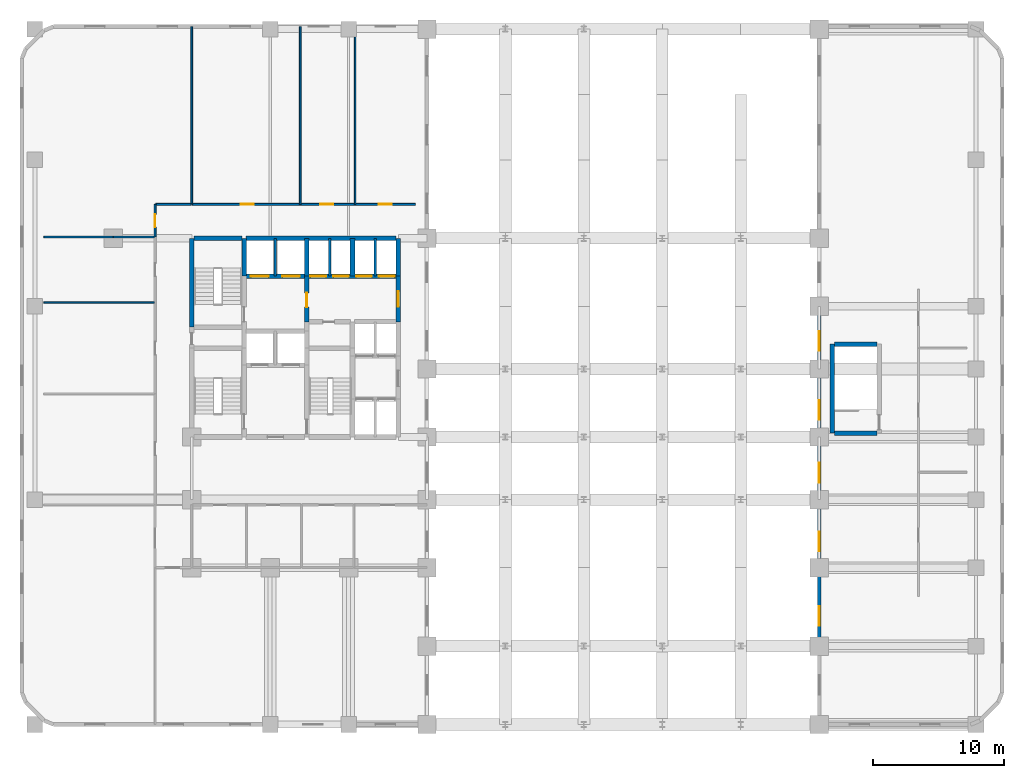
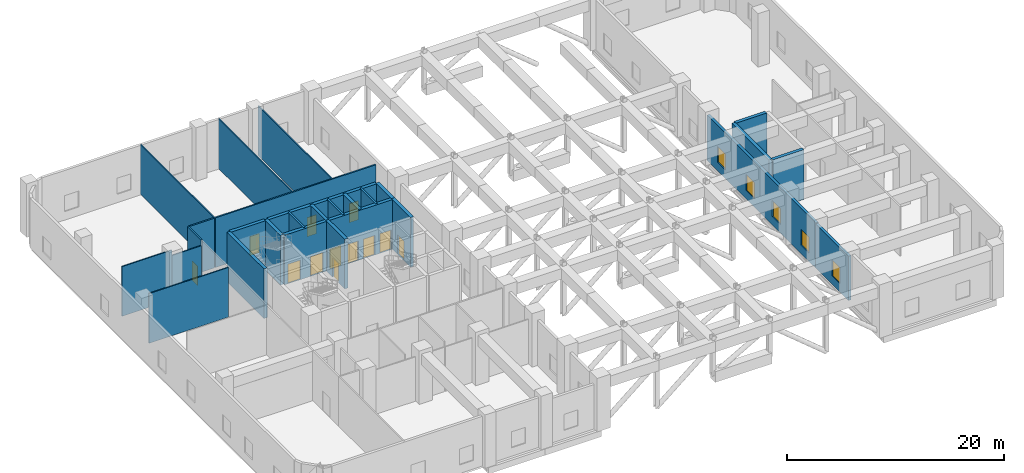
# One storey, part 6 of 11: 27 walls, 12 doors, 5 windows, 17 openings.
"""IFC4 building model written with IfcOpenShell, lengths in metres."""

from ifc_helpers import new_model, si_unit, direction, frame, frame_2d, origin, place, context, subcontext, project, spatial, rectangle, extrude, material, layer, layer_set, type_object, element, fill, save


model = new_model("IFC4")

# Units and contexts
model_context = context("Model", 3, precision=1e-05, world=origin(), true_north=direction((0.0, 1.0)))
body_context = subcontext(model_context, "Body", "Model", "MODEL_VIEW")
ifc_project = project(units=[si_unit("LENGTHUNIT", "METRE"), si_unit("AREAUNIT", "SQUARE_METRE"), si_unit("VOLUMEUNIT", "CUBIC_METRE"), si_unit("PLANEANGLEUNIT", "RADIAN"), si_unit("MASSUNIT", "GRAM", prefix="KILO")], contexts=[model_context])

# Site, building, storey
site_placement = place(None, origin())
site = spatial("IfcSite", under=ifc_project, at=site_placement, CompositionType="ELEMENT")
building_placement = place(site_placement, origin())
building = spatial("IfcBuilding", under=site, at=building_placement, Name="Keshet Zoharim Tower", CompositionType="ELEMENT")
storey_placement = place(building_placement, frame((0.0, 0.0, 13.0)))
storey = spatial("IfcBuildingStorey", under=building, at=storey_placement, Name="L02", CompositionType="ELEMENT", Elevation=13.0)

# Wall, opening, door
ifc_material_1 = material(Name="Gypsum Plasterboard", Category="gypsum")
ifc_layer_1 = layer(ifc_material_1, 0.14990234375)
ifc_layer_set_1 = layer_set([ifc_layer_1], Name="Gypsum Plasterboard")
wall_type_1 = type_object("IfcWallType", Name="WL-CLIN-150", PredefinedType="STANDARD", material=ifc_layer_set_1)
wall_1_placement = place(storey_placement, frame((12.199951171875, 38.0, 0.0), z_axis=(0.0, 0.0, 1.0), x_axis=(0.0, 1.0, 0.0)))
wall_1 = element("IfcWall", 1, at=wall_1_placement, inside=storey, type_object=wall_type_1, Name="L02 Interior Wall 005", PredefinedType="STANDARD", context=body_context, shape_type="SweptSolid", body=[
    extrude(rectangle(XDim=2.5, YDim=0.14990234375, at=frame_2d((1.25, 0.0))), origin(), (0.0, 0.0, 1.0), 5.580078125),
])
opening_1_placement = place(wall_1_placement, frame((0.75, 0.0, 0.0)))
opening_1 = element("IfcOpeningElement", 2, at=opening_1_placement, cuts=wall_1, Name="Opening D-F310", PredefinedType="OPENING", context=body_context, shape_type="SweptSolid", body=[
    extrude(rectangle(XDim=1.0, YDim=2.14990234375, at=frame_2d((0.5, 1.074951171875))), frame((0.0, 0.0849609375, 0.0), z_axis=(0.0, -1.0, 0.0), x_axis=(1.0, 0.0, 0.0)), (0.0, 0.0, 1.0), 0.169921875),
])
ifc_material_2 = material(Name="Hardwood Timber", Category="wood")
door_type_1 = type_object("IfcDoorType", Name="DR-FD30-100", OperationType="NOTDEFINED", PredefinedType="DOOR", material=ifc_material_2)
door_1_placement = place(opening_1_placement, origin())
door_1 = element("IfcDoor", 3, at=door_1_placement, inside=storey, type_object=door_type_1, Name="L02 Triage and Nursing Station Door", OperationType="SINGLE_SWING_RIGHT", OverallHeight=2.14990234375, OverallWidth=1.0, PredefinedType="DOOR", context=body_context, shape_type="SweptSolid", body=[
    extrude(rectangle(XDim=1.0, YDim=2.14990234375, at=frame_2d((0.5, 1.074951171875))), frame((0.0, 0.02490234375, 0.0), z_axis=(0.0, -1.0, 0.0), x_axis=(1.0, 0.0, 0.0)), (0.0, 0.0, 1.0), 0.050048828125),
])
fill(opening_1, door_1)

# Wall
wall_2_placement = place(storey_placement, frame((12.260009765625, 40.5, 0.0), z_axis=(0.0, 0.0, 1.0), x_axis=(1.0, 0.0, 0.0)))
element("IfcWall", 4, at=wall_2_placement, inside=storey, type_object=wall_type_1, Name="L02 Interior Wall 078", PredefinedType="STANDARD", context=body_context, shape_type="SweptSolid", body=[
    extrude(rectangle(XDim=2.695068359375, YDim=0.14990234375, at=frame_2d((1.34765625, 0.0))), origin(), (0.0, 0.0, 1.0), 5.580078125),
])

# Wall, openings, doors
wall_3_placement = place(storey_placement, frame((15.044921875, 40.5, 0.0), z_axis=(0.0, 0.0, 1.0), x_axis=(1.0, 0.0, 0.0)))
wall_3 = element("IfcWall", 5, at=wall_3_placement, inside=storey, type_object=wall_type_1, Name="L02 Interior Wall 079", PredefinedType="STANDARD", context=body_context, shape_type="SweptSolid", body=[
    extrude(rectangle(XDim=17.065185546875, YDim=0.14990234375, at=frame_2d((8.53271484375, 0.0))), origin(), (0.0, 0.0, 1.0), 5.580078125),
])
opening_2_placement = place(wall_3_placement, frame((3.705078125, 0.0, 0.0)))
opening_2 = element("IfcOpeningElement", 6, at=opening_2_placement, cuts=wall_3, Name="Opening D-F310", PredefinedType="OPENING", context=body_context, shape_type="SweptSolid", body=[
    extrude(rectangle(XDim=1.0, YDim=2.14990234375, at=frame_2d((0.5, 1.074951171875))), frame((0.0, 0.0849609375, 0.0), z_axis=(0.0, -1.0, 0.0), x_axis=(1.0, 0.0, 0.0)), (0.0, 0.0, 1.0), 0.169921875),
])
opening_3_placement = place(wall_3_placement, frame((9.783935546875, 0.0, 0.0)))
opening_3 = element("IfcOpeningElement", 7, at=opening_3_placement, cuts=wall_3, Name="Opening D-F310", PredefinedType="OPENING", context=body_context, shape_type="SweptSolid", body=[
    extrude(rectangle(XDim=1.0, YDim=2.14990234375, at=frame_2d((0.5, 1.074951171875))), frame((0.0, 0.0849609375, 0.0), z_axis=(0.0, -1.0, 0.0), x_axis=(1.0, 0.0, 0.0)), (0.0, 0.0, 1.0), 0.169921875),
])
opening_4_placement = place(wall_3_placement, frame((14.264892578125, 0.0, 0.0)))
opening_4 = element("IfcOpeningElement", 8, at=opening_4_placement, cuts=wall_3, Name="Opening D-F310", PredefinedType="OPENING", context=body_context, shape_type="SweptSolid", body=[
    extrude(rectangle(XDim=1.0, YDim=2.14990234375, at=frame_2d((0.5, 1.074951171875))), frame((0.0, 0.0849609375, 0.0), z_axis=(0.0, -1.0, 0.0), x_axis=(1.0, 0.0, 0.0)), (0.0, 0.0, 1.0), 0.169921875),
])
door_2_placement = place(opening_2_placement, origin())
door_2 = element("IfcDoor", 9, at=door_2_placement, inside=storey, type_object=door_type_1, Name="L02 Pediatric Examination Room Door", OperationType="SINGLE_SWING_LEFT", OverallHeight=2.14990234375, OverallWidth=1.0, PredefinedType="DOOR", context=body_context, shape_type="SweptSolid", body=[
    extrude(rectangle(XDim=1.0, YDim=2.14990234375, at=frame_2d((0.5, 1.074951171875))), frame((0.0, 0.02490234375, 0.0), z_axis=(0.0, -1.0, 0.0), x_axis=(1.0, 0.0, 0.0)), (0.0, 0.0, 1.0), 0.050048828125),
])
fill(opening_2, door_2)
door_3_placement = place(opening_3_placement, origin())
door_3 = element("IfcDoor", 10, at=door_3_placement, inside=storey, type_object=door_type_1, Name="L02 Dental Clinic Room Door", OperationType="SINGLE_SWING_RIGHT", OverallHeight=2.14990234375, OverallWidth=1.0, PredefinedType="DOOR", context=body_context, shape_type="SweptSolid", body=[
    extrude(rectangle(XDim=1.0, YDim=2.14990234375, at=frame_2d((0.5, 1.074951171875))), frame((0.0, 0.02490234375, 0.0), z_axis=(0.0, -1.0, 0.0), x_axis=(1.0, 0.0, 0.0)), (0.0, 0.0, 1.0), 0.050048828125),
])
fill(opening_3, door_3)
door_4_placement = place(opening_4_placement, origin())
door_4 = element("IfcDoor", 11, at=door_4_placement, inside=storey, type_object=door_type_1, Name="L02 Physiotherapy Room Door", OperationType="SINGLE_SWING_LEFT", OverallHeight=2.14990234375, OverallWidth=1.0, PredefinedType="DOOR", context=body_context, shape_type="SweptSolid", body=[
    extrude(rectangle(XDim=1.0, YDim=2.14990234375, at=frame_2d((0.5, 1.074951171875))), frame((0.0, 0.02490234375, 0.0), z_axis=(0.0, -1.0, 0.0), x_axis=(1.0, 0.0, 0.0)), (0.0, 0.0, 1.0), 0.050048828125),
])
fill(opening_4, door_4)

# Walls
ifc_material_3 = material(Name="Concrete C60/75", Category="concrete")
ifc_layer_2 = layer(ifc_material_3, 0.35009765625)
ifc_layer_set_2 = layer_set([ifc_layer_2], Name="Concrete C60/75")
wall_type_2 = type_object("IfcWallType", Name="WL-CORE-350", PredefinedType="SHEAR", material=ifc_layer_set_2)
wall_4_placement = place(storey_placement, frame((15.0, 31.10009765625, 0.0), z_axis=(0.0, 0.0, 1.0), x_axis=(0.0, 1.0, 0.0)))
element("IfcWall", 12, at=wall_4_placement, inside=storey, type_object=wall_type_2, Name="L02 Core Shear Wall 009", PredefinedType="SHEAR", context=body_context, shape_type="SweptSolid", body=[
    extrude(rectangle(XDim=6.7998046875, YDim=0.35009765625, at=frame_2d((3.39990234375, 0.0))), origin(), (0.0, 0.0, 1.0), 5.580078125),
])
wall_5_placement = place(storey_placement, frame((19.0, 35.0, 0.0), z_axis=(0.0, 0.0, 1.0), x_axis=(0.0, 1.0, 0.0)))
element("IfcWall", 13, at=wall_5_placement, inside=storey, type_object=wall_type_2, Name="L02 Core Shear Wall 014", PredefinedType="SHEAR", context=body_context, shape_type="SweptSolid", body=[
    extrude(rectangle(XDim=2.89990234375, YDim=0.35009765625, at=frame_2d((1.449951171875, 0.0))), origin(), (0.0, 0.0, 1.0), 5.580078125),
])

# Wall, opening, door
wall_6_placement = place(storey_placement, frame((23.800048828125, 31.5, 0.0), z_axis=(0.0, 0.0, 1.0), x_axis=(0.0, 1.0, 0.0)))
wall_6 = element("IfcWall", 14, at=wall_6_placement, inside=storey, type_object=wall_type_2, Name="L02 Core Shear Wall 024", PredefinedType="SHEAR", context=body_context, shape_type="SweptSolid", body=[
    extrude(rectangle(XDim=3.5, YDim=0.35009765625, at=frame_2d((1.75, 0.0))), origin(), (0.0, 0.0, 1.0), 5.580078125),
])
opening_5_placement = place(wall_6_placement, frame((1.126953125, 0.0, 0.0)))
opening_5 = element("IfcOpeningElement", 15, at=opening_5_placement, cuts=wall_6, Name="Opening D-F611", PredefinedType="OPENING", context=body_context, shape_type="SweptSolid", body=[
    extrude(rectangle(XDim=1.10009765625, YDim=2.14990234375, at=frame_2d((0.550048828125, 1.074951171875))), frame((0.0, 0.18505859375, 0.0), z_axis=(0.0, -1.0, 0.0), x_axis=(1.0, 0.0, 0.0)), (0.0, 0.0, 1.0), 0.3701171875),
])
door_type_2 = type_object("IfcDoorType", Name="DR-FD60-110", OperationType="NOTDEFINED", PredefinedType="DOOR", material=ifc_material_2)
door_5_placement = place(opening_5_placement, origin())
door_5 = element("IfcDoor", 16, at=door_5_placement, inside=storey, type_object=door_type_2, Name="L02 Firefighting Lobby Fire Door", OperationType="SINGLE_SWING_LEFT", OverallHeight=2.14990234375, OverallWidth=1.10009765625, PredefinedType="DOOR", context=body_context, shape_type="SweptSolid", body=[
    extrude(rectangle(XDim=1.10009765625, YDim=2.14990234375, at=frame_2d((0.550048828125, 1.074951171875))), frame((0.0, 0.02490234375, 0.0), z_axis=(0.0, -1.0, 0.0), x_axis=(1.0, 0.0, 0.0)), (0.0, 0.0, 1.0), 0.050048828125),
])
fill(opening_5, door_5)

# Walls
for number, where, z_axis, x_axis, name in (
    (17, (23.800048828125, 35.0, 0.0), (0.0, 0.0, 1.0), (0.0, 1.0, 0.0), "L02 Core Shear Wall 025"),
    (18, (27.300048828125, 35.0, 0.0), (0.0, 0.0, 1.0), (0.0, 1.0, 0.0), "L02 Core Shear Wall 031"),
):
    element("IfcWall", number, at=place(storey_placement, frame(where, z_axis=z_axis, x_axis=x_axis)), inside=storey, type_object=wall_type_2, Name=name, PredefinedType="SHEAR", context=body_context, shape_type="SweptSolid", body=[
        extrude(rectangle(XDim=2.89990234375, YDim=0.35009765625, at=frame_2d((1.449951171875, 0.0))), origin(), (0.0, 0.0, 1.0), 5.580078125),
    ])

# Wall, opening, door
wall_7_placement = place(storey_placement, frame((30.800048828125, 31.5, 0.0), z_axis=(0.0, 0.0, 1.0), x_axis=(0.0, 1.0, 0.0)))
wall_7 = element("IfcWall", 19, at=wall_7_placement, inside=storey, type_object=wall_type_2, Name="L02 Core Shear Wall 040", PredefinedType="SHEAR", context=body_context, shape_type="SweptSolid", body=[
    extrude(rectangle(XDim=3.5, YDim=0.35009765625, at=frame_2d((1.75, 0.0))), origin(), (0.0, 0.0, 1.0), 5.580078125),
])
opening_6_placement = place(wall_7_placement, frame((1.14990234375, 0.0, 0.0)))
opening_6 = element("IfcOpeningElement", 20, at=opening_6_placement, cuts=wall_7, Name="Opening D-F612", PredefinedType="OPENING", context=body_context, shape_type="SweptSolid", body=[
    extrude(rectangle(XDim=1.199951171875, YDim=2.199951171875, at=frame_2d((0.60009765625, 1.10009765625))), frame((0.0, 0.18505859375, 0.0), z_axis=(0.0, -1.0, 0.0), x_axis=(1.0, 0.0, 0.0)), (0.0, 0.0, 1.0), 0.3701171875),
])
door_type_3 = type_object("IfcDoorType", Name="DR-FD60-120", OperationType="NOTDEFINED", PredefinedType="DOOR", material=ifc_material_2)
door_6_placement = place(opening_6_placement, origin())
door_6 = element("IfcDoor", 21, at=door_6_placement, inside=storey, type_object=door_type_3, Name="L02 North Lift Lobby East Fire Door", OperationType="SINGLE_SWING_LEFT", OverallHeight=2.199951171875, OverallWidth=1.199951171875, PredefinedType="DOOR", context=body_context, shape_type="SweptSolid", body=[
    extrude(rectangle(XDim=1.199951171875, YDim=2.199951171875, at=frame_2d((0.60009765625, 1.10009765625))), frame((0.0, 0.02490234375, 0.0), z_axis=(0.0, -1.0, 0.0), x_axis=(1.0, 0.0, 0.0)), (0.0, 0.0, 1.0), 0.050048828125),
])
fill(opening_6, door_6)

# Walls
wall_8_placement = place(storey_placement, frame((30.800048828125, 35.0, 0.0), z_axis=(0.0, 0.0, 1.0), x_axis=(0.0, 1.0, 0.0)))
element("IfcWall", 22, at=wall_8_placement, inside=storey, type_object=wall_type_2, Name="L02 Core Shear Wall 041", PredefinedType="SHEAR", context=body_context, shape_type="SweptSolid", body=[
    extrude(rectangle(XDim=2.89990234375, YDim=0.35009765625, at=frame_2d((1.449951171875, 0.0))), origin(), (0.0, 0.0, 1.0), 5.580078125),
])
wall_9_placement = place(storey_placement, frame((64.0, 23.0, 0.0), z_axis=(0.0, 0.0, 1.0), x_axis=(0.0, 1.0, 0.0)))
element("IfcWall", 23, at=wall_9_placement, inside=storey, type_object=wall_type_2, Name="L02 Core Shear Wall 042", PredefinedType="SHEAR", context=body_context, shape_type="SweptSolid", body=[
    extrude(rectangle(XDim=6.800048828125, YDim=0.35009765625, at=frame_2d((3.39990234375, 0.0))), origin(), (0.0, 0.0, 1.0), 5.580078125),
])
for number, where, z_axis, x_axis, name in (
    (24, (64.159912109375, 23.0, 0.0), (0.0, 0.0, 1.0), (1.0, 0.0, 0.0), "L02 Core Shear Wall 060"),
    (25, (64.159912109375, 29.800048828125, 0.0), (0.0, 0.0, 1.0), (1.0, 0.0, 0.0), "L02 Core Shear Wall 068"),
):
    element("IfcWall", number, at=place(storey_placement, frame(where, z_axis=z_axis, x_axis=x_axis)), inside=storey, type_object=wall_type_2, Name=name, PredefinedType="SHEAR", context=body_context, shape_type="SweptSolid", body=[
        extrude(rectangle(XDim=3.280029296875, YDim=0.35009765625, at=frame_2d((1.64013671875, 0.0))), origin(), (0.0, 0.0, 1.0), 5.580078125),
    ])

# Wall, openings, doors
wall_10_placement = place(storey_placement, frame((19.159912109375, 35.0, 0.0), z_axis=(0.0, 0.0, 1.0), x_axis=(1.0, 0.0, 0.0)))
wall_10 = element("IfcWall", 26, at=wall_10_placement, inside=storey, type_object=wall_type_2, Name="L02 Core Shear Wall 074", PredefinedType="SHEAR", context=body_context, shape_type="SweptSolid", body=[
    extrude(rectangle(XDim=11.47998046875, YDim=0.35009765625, at=frame_2d((5.739990234375, 0.0))), origin(), (0.0, 0.0, 1.0), 5.580078125),
])
opening_7_placement = place(wall_10_placement, frame((0.364990234375, 0.0, 0.0)))
opening_7 = element("IfcOpeningElement", 27, at=opening_7_placement, cuts=wall_10, Name="Opening LD-02", PredefinedType="OPENING", context=body_context, shape_type="SweptSolid", body=[
    extrude(rectangle(XDim=1.35009765625, YDim=2.199951171875, at=frame_2d((0.675048828125, 1.10009765625))), frame((0.0, 0.18505859375, 0.0), z_axis=(0.0, -1.0, 0.0), x_axis=(1.0, 0.0, 0.0)), (0.0, 0.0, 1.0), 0.3701171875),
])
opening_8_placement = place(wall_10_placement, frame((2.764892578125, 0.0, 0.0)))
opening_8 = element("IfcOpeningElement", 28, at=opening_8_placement, cuts=wall_10, Name="Opening LD-02", PredefinedType="OPENING", context=body_context, shape_type="SweptSolid", body=[
    extrude(rectangle(XDim=1.35009765625, YDim=2.199951171875, at=frame_2d((0.675048828125, 1.10009765625))), frame((0.0, 0.18505859375, 0.0), z_axis=(0.0, -1.0, 0.0), x_axis=(1.0, 0.0, 0.0)), (0.0, 0.0, 1.0), 0.3701171875),
])
opening_9_placement = place(wall_10_placement, frame((4.9150390625, 0.0, 0.0)))
opening_9 = element("IfcOpeningElement", 29, at=opening_9_placement, cuts=wall_10, Name="Opening LD-03", PredefinedType="OPENING", context=body_context, shape_type="SweptSolid", body=[
    extrude(rectangle(XDim=1.199951171875, YDim=2.199951171875, at=frame_2d((0.60009765625, 1.10009765625))), frame((0.0, 0.18505859375, 0.0), z_axis=(0.0, -1.0, 0.0), x_axis=(1.0, 0.0, 0.0)), (0.0, 0.0, 1.0), 0.3701171875),
])
opening_10_placement = place(wall_10_placement, frame((6.6650390625, 0.0, 0.0)))
opening_10 = element("IfcOpeningElement", 30, at=opening_10_placement, cuts=wall_10, Name="Opening LD-03", PredefinedType="OPENING", context=body_context, shape_type="SweptSolid", body=[
    extrude(rectangle(XDim=1.199951171875, YDim=2.199951171875, at=frame_2d((0.60009765625, 1.10009765625))), frame((0.0, 0.18505859375, 0.0), z_axis=(0.0, -1.0, 0.0), x_axis=(1.0, 0.0, 0.0)), (0.0, 0.0, 1.0), 0.3701171875),
])
opening_11_placement = place(wall_10_placement, frame((8.4150390625, 0.0, 0.0)))
opening_11 = element("IfcOpeningElement", 31, at=opening_11_placement, cuts=wall_10, Name="Opening LD-03", PredefinedType="OPENING", context=body_context, shape_type="SweptSolid", body=[
    extrude(rectangle(XDim=1.199951171875, YDim=2.199951171875, at=frame_2d((0.60009765625, 1.10009765625))), frame((0.0, 0.18505859375, 0.0), z_axis=(0.0, -1.0, 0.0), x_axis=(1.0, 0.0, 0.0)), (0.0, 0.0, 1.0), 0.3701171875),
])
opening_12_placement = place(wall_10_placement, frame((10.159912109375, 0.0, 0.0)))
opening_12 = element("IfcOpeningElement", 32, at=opening_12_placement, cuts=wall_10, Name="Opening LD-03", PredefinedType="OPENING", context=body_context, shape_type="SweptSolid", body=[
    extrude(rectangle(XDim=1.199951171875, YDim=2.199951171875, at=frame_2d((0.60009765625, 1.10009765625))), frame((0.0, 0.18505859375, 0.0), z_axis=(0.0, -1.0, 0.0), x_axis=(1.0, 0.0, 0.0)), (0.0, 0.0, 1.0), 0.3701171875),
])
ifc_material_4 = material(Name="Steel S355", Category="steel")
door_type_4 = type_object("IfcDoorType", Name="DR-LD02-135", OperationType="DOUBLE_DOOR_SLIDING", PredefinedType="DOOR", material=ifc_material_4)
door_7_placement = place(opening_7_placement, origin())
door_7 = element("IfcDoor", 33, at=door_7_placement, inside=storey, type_object=door_type_4, Name="L02 Firefighting Lift Landing Door FF-01", OperationType="DOUBLE_DOOR_SLIDING", OverallHeight=2.199951171875, OverallWidth=1.35009765625, PredefinedType="DOOR", context=body_context, shape_type="SweptSolid", body=[
    extrude(rectangle(XDim=1.35009765625, YDim=2.199951171875, at=frame_2d((0.675048828125, 1.10009765625))), frame((0.0, 0.02490234375, 0.0), z_axis=(0.0, -1.0, 0.0), x_axis=(1.0, 0.0, 0.0)), (0.0, 0.0, 1.0), 0.050048828125),
])
fill(opening_7, door_7)
door_8_placement = place(opening_8_placement, origin())
door_8 = element("IfcDoor", 34, at=door_8_placement, inside=storey, type_object=door_type_4, Name="L02 Firefighting Lift Landing Door FF-02", OperationType="DOUBLE_DOOR_SLIDING", OverallHeight=2.199951171875, OverallWidth=1.35009765625, PredefinedType="DOOR", context=body_context, shape_type="SweptSolid", body=[
    extrude(rectangle(XDim=1.35009765625, YDim=2.199951171875, at=frame_2d((0.675048828125, 1.10009765625))), frame((0.0, 0.02490234375, 0.0), z_axis=(0.0, -1.0, 0.0), x_axis=(1.0, 0.0, 0.0)), (0.0, 0.0, 1.0), 0.050048828125),
])
fill(opening_8, door_8)
door_type_5 = type_object("IfcDoorType", Name="DR-LD03-120", OperationType="DOUBLE_DOOR_SLIDING", PredefinedType="DOOR", material=ifc_material_4)
door_9_placement = place(opening_9_placement, origin())
door_9 = element("IfcDoor", 35, at=door_9_placement, inside=storey, type_object=door_type_5, Name="L02 Passenger Lift Landing Door LF-01", OperationType="DOUBLE_DOOR_SLIDING", OverallHeight=2.199951171875, OverallWidth=1.199951171875, PredefinedType="DOOR", context=body_context, shape_type="SweptSolid", body=[
    extrude(rectangle(XDim=1.199951171875, YDim=2.199951171875, at=frame_2d((0.60009765625, 1.10009765625))), frame((0.0, 0.02490234375, 0.0), z_axis=(0.0, -1.0, 0.0), x_axis=(1.0, 0.0, 0.0)), (0.0, 0.0, 1.0), 0.050048828125),
])
fill(opening_9, door_9)
door_10_placement = place(opening_10_placement, origin())
door_10 = element("IfcDoor", 36, at=door_10_placement, inside=storey, type_object=door_type_5, Name="L02 Passenger Lift Landing Door LF-02", OperationType="DOUBLE_DOOR_SLIDING", OverallHeight=2.199951171875, OverallWidth=1.199951171875, PredefinedType="DOOR", context=body_context, shape_type="SweptSolid", body=[
    extrude(rectangle(XDim=1.199951171875, YDim=2.199951171875, at=frame_2d((0.60009765625, 1.10009765625))), frame((0.0, 0.02490234375, 0.0), z_axis=(0.0, -1.0, 0.0), x_axis=(1.0, 0.0, 0.0)), (0.0, 0.0, 1.0), 0.050048828125),
])
fill(opening_10, door_10)
door_11_placement = place(opening_11_placement, origin())
door_11 = element("IfcDoor", 37, at=door_11_placement, inside=storey, type_object=door_type_5, Name="L02 Passenger Lift Landing Door LF-03", OperationType="DOUBLE_DOOR_SLIDING", OverallHeight=2.199951171875, OverallWidth=1.199951171875, PredefinedType="DOOR", context=body_context, shape_type="SweptSolid", body=[
    extrude(rectangle(XDim=1.199951171875, YDim=2.199951171875, at=frame_2d((0.60009765625, 1.10009765625))), frame((0.0, 0.02490234375, 0.0), z_axis=(0.0, -1.0, 0.0), x_axis=(1.0, 0.0, 0.0)), (0.0, 0.0, 1.0), 0.050048828125),
])
fill(opening_11, door_11)
door_12_placement = place(opening_12_placement, origin())
door_12 = element("IfcDoor", 38, at=door_12_placement, inside=storey, type_object=door_type_5, Name="L02 Passenger Lift Landing Door LF-04", OperationType="DOUBLE_DOOR_SLIDING", OverallHeight=2.199951171875, OverallWidth=1.199951171875, PredefinedType="DOOR", context=body_context, shape_type="SweptSolid", body=[
    extrude(rectangle(XDim=1.199951171875, YDim=2.199951171875, at=frame_2d((0.60009765625, 1.10009765625))), frame((0.0, 0.02490234375, 0.0), z_axis=(0.0, -1.0, 0.0), x_axis=(1.0, 0.0, 0.0)), (0.0, 0.0, 1.0), 0.050048828125),
])
fill(opening_12, door_12)

# Walls
wall_11_placement = place(storey_placement, frame((15.159912109375, 37.89990234375, 0.0), z_axis=(0.0, 0.0, 1.0), x_axis=(1.0, 0.0, 0.0)))
element("IfcWall", 39, at=wall_11_placement, inside=storey, type_object=wall_type_2, Name="L02 Core Shear Wall 075", PredefinedType="SHEAR", context=body_context, shape_type="SweptSolid", body=[
    extrude(rectangle(XDim=3.68017578125, YDim=0.35009765625, at=frame_2d((1.840087890625, 0.0))), origin(), (0.0, 0.0, 1.0), 5.580078125),
])
wall_12_placement = place(storey_placement, frame((19.159912109375, 37.89990234375, 0.0), z_axis=(0.0, 0.0, 1.0), x_axis=(1.0, 0.0, 0.0)))
element("IfcWall", 40, at=wall_12_placement, inside=storey, type_object=wall_type_2, Name="L02 Core Shear Wall 076", PredefinedType="SHEAR", context=body_context, shape_type="SweptSolid", body=[
    extrude(rectangle(XDim=11.47998046875, YDim=0.35009765625, at=frame_2d((5.739990234375, 0.0))), origin(), (0.0, 0.0, 1.0), 5.580078125),
])

# Wall, opening, window
ifc_material_5 = material(Name="Concrete C50/60 precast", Category="concrete")
ifc_layer_3 = layer(ifc_material_5, 0.280029296875)
ifc_layer_set_3 = layer_set([ifc_layer_3], Name="Concrete C50/60 precast")
wall_type_3 = type_object("IfcWallType", Name="WL-EXT-280", PredefinedType="STANDARD", material=ifc_layer_set_3)
wall_13_placement = place(storey_placement, frame((63.0, 6.699951171875, 0.0), z_axis=(0.0, 0.0, 1.0), x_axis=(0.0, 1.0, 0.0)))
wall_13 = element("IfcWall", 41, at=wall_13_placement, inside=storey, type_object=wall_type_3, Name="L02 Podium Precast Facade Wall 19 Part 2", PredefinedType="STANDARD", context=body_context, shape_type="SweptSolid", body=[
    extrude(rectangle(XDim=6.0, YDim=0.280029296875, at=frame_2d((3.0, 0.0))), origin(), (0.0, 0.0, 1.0), 4.97998046875),
])
opening_13_placement = place(wall_13_placement, frame((1.5400390625, 0.0, 0.949951171875)))
opening_13 = element("IfcOpeningElement", 42, at=opening_13_placement, cuts=wall_13, Name="Opening W-150", PredefinedType="OPENING", context=body_context, shape_type="SweptSolid", body=[
    extrude(rectangle(XDim=1.5, YDim=1.800048828125, at=frame_2d((0.75, 0.89990234375))), frame((0.0, 0.14990234375, 0.0), z_axis=(0.0, -1.0, 0.0), x_axis=(1.0, 0.0, 0.0)), (0.0, 0.0, 1.0), 0.300048828125),
])
ifc_material_6 = material(Name="Insulated Low-E Clear Glass", Category="glass")
window_type = type_object("IfcWindowType", Name="WN-CLN-150", PartitioningType="SINGLE_PANEL", PredefinedType="WINDOW", material=ifc_material_6)
window_1_placement = place(opening_13_placement, origin())
window_1 = element("IfcWindow", 43, at=window_1_placement, inside=storey, type_object=window_type, Name="L02 Clinic Facade Window 40", OverallHeight=1.800048828125, OverallWidth=1.5, PartitioningType="SINGLE_PANEL", PredefinedType="WINDOW", context=body_context, shape_type="SweptSolid", body=[
    extrude(rectangle(XDim=1.5, YDim=1.800048828125, at=frame_2d((0.75, 0.89990234375))), frame((0.0, 0.030029296875, 0.0), z_axis=(0.0, -1.0, 0.0), x_axis=(1.0, 0.0, 0.0)), (0.0, 0.0, 1.0), 0.06005859375),
])
fill(opening_13, window_1)

# Wall, openings, windows
wall_14_placement = place(storey_placement, frame((63.0, 12.699951171875, 0.0), z_axis=(0.0, 0.0, 1.0), x_axis=(0.0, 1.0, 0.0)))
wall_14 = element("IfcWall", 44, at=wall_14_placement, inside=storey, type_object=wall_type_3, Name="L02 Podium Precast Facade Wall 19 Part 3", PredefinedType="STANDARD", context=body_context, shape_type="SweptSolid", body=[
    extrude(rectangle(XDim=20.0, YDim=0.280029296875, at=frame_2d((10.0, 0.0))), origin(), (0.0, 0.0, 1.0), 5.080078125),
])
opening_14_placement = place(wall_14_placement, frame((1.25, 0.0, 0.949951171875)))
opening_14 = element("IfcOpeningElement", 45, at=opening_14_placement, cuts=wall_14, Name="Opening W-150", PredefinedType="OPENING", context=body_context, shape_type="SweptSolid", body=[
    extrude(rectangle(XDim=1.5, YDim=1.800048828125, at=frame_2d((0.75, 0.89990234375))), frame((0.0, 0.14990234375, 0.0), z_axis=(0.0, -1.0, 0.0), x_axis=(1.0, 0.0, 0.0)), (0.0, 0.0, 1.0), 0.300048828125),
])
opening_15_placement = place(wall_14_placement, frame((6.510009765625, 0.0, 0.949951171875)))
opening_15 = element("IfcOpeningElement", 46, at=opening_15_placement, cuts=wall_14, Name="Opening W-150", PredefinedType="OPENING", context=body_context, shape_type="SweptSolid", body=[
    extrude(rectangle(XDim=1.5, YDim=1.800048828125, at=frame_2d((0.75, 0.89990234375))), frame((0.0, 0.14990234375, 0.0), z_axis=(0.0, -1.0, 0.0), x_axis=(1.0, 0.0, 0.0)), (0.0, 0.0, 1.0), 0.300048828125),
])
opening_16_placement = place(wall_14_placement, frame((11.320068359375, 0.0, 0.949951171875)))
opening_16 = element("IfcOpeningElement", 47, at=opening_16_placement, cuts=wall_14, Name="Opening W-150", PredefinedType="OPENING", context=body_context, shape_type="SweptSolid", body=[
    extrude(rectangle(XDim=1.5, YDim=1.800048828125, at=frame_2d((0.75, 0.89990234375))), frame((0.0, 0.14990234375, 0.0), z_axis=(0.0, -1.0, 0.0), x_axis=(1.0, 0.0, 0.0)), (0.0, 0.0, 1.0), 0.300048828125),
])
opening_17_placement = place(wall_14_placement, frame((16.580078125, 0.0, 0.949951171875)))
opening_17 = element("IfcOpeningElement", 48, at=opening_17_placement, cuts=wall_14, Name="Opening W-150", PredefinedType="OPENING", context=body_context, shape_type="SweptSolid", body=[
    extrude(rectangle(XDim=1.5, YDim=1.800048828125, at=frame_2d((0.75, 0.89990234375))), frame((0.0, 0.14990234375, 0.0), z_axis=(0.0, -1.0, 0.0), x_axis=(1.0, 0.0, 0.0)), (0.0, 0.0, 1.0), 0.300048828125),
])
window_2_placement = place(opening_14_placement, origin())
window_2 = element("IfcWindow", 49, at=window_2_placement, inside=storey, type_object=window_type, Name="L02 Clinic Facade Window 41", OverallHeight=1.800048828125, OverallWidth=1.5, PartitioningType="SINGLE_PANEL", PredefinedType="WINDOW", context=body_context, shape_type="SweptSolid", body=[
    extrude(rectangle(XDim=1.5, YDim=1.800048828125, at=frame_2d((0.75, 0.89990234375))), frame((0.0, 0.030029296875, 0.0), z_axis=(0.0, -1.0, 0.0), x_axis=(1.0, 0.0, 0.0)), (0.0, 0.0, 1.0), 0.06005859375),
])
fill(opening_14, window_2)
window_3_placement = place(opening_15_placement, origin())
window_3 = element("IfcWindow", 50, at=window_3_placement, inside=storey, type_object=window_type, Name="L02 Clinic Facade Window 42", OverallHeight=1.800048828125, OverallWidth=1.5, PartitioningType="SINGLE_PANEL", PredefinedType="WINDOW", context=body_context, shape_type="SweptSolid", body=[
    extrude(rectangle(XDim=1.5, YDim=1.800048828125, at=frame_2d((0.75, 0.89990234375))), frame((0.0, 0.030029296875, 0.0), z_axis=(0.0, -1.0, 0.0), x_axis=(1.0, 0.0, 0.0)), (0.0, 0.0, 1.0), 0.06005859375),
])
fill(opening_15, window_3)
window_4_placement = place(opening_16_placement, origin())
window_4 = element("IfcWindow", 51, at=window_4_placement, inside=storey, type_object=window_type, Name="L02 Clinic Facade Window 43", OverallHeight=1.800048828125, OverallWidth=1.5, PartitioningType="SINGLE_PANEL", PredefinedType="WINDOW", context=body_context, shape_type="SweptSolid", body=[
    extrude(rectangle(XDim=1.5, YDim=1.800048828125, at=frame_2d((0.75, 0.89990234375))), frame((0.0, 0.030029296875, 0.0), z_axis=(0.0, -1.0, 0.0), x_axis=(1.0, 0.0, 0.0)), (0.0, 0.0, 1.0), 0.06005859375),
])
fill(opening_16, window_4)
window_5_placement = place(opening_17_placement, origin())
window_5 = element("IfcWindow", 52, at=window_5_placement, inside=storey, type_object=window_type, Name="L02 Clinic Facade Window 44", OverallHeight=1.800048828125, OverallWidth=1.5, PartitioningType="SINGLE_PANEL", PredefinedType="WINDOW", context=body_context, shape_type="SweptSolid", body=[
    extrude(rectangle(XDim=1.5, YDim=1.800048828125, at=frame_2d((0.75, 0.89990234375))), frame((0.0, 0.030029296875, 0.0), z_axis=(0.0, -1.0, 0.0), x_axis=(1.0, 0.0, 0.0)), (0.0, 0.0, 1.0), 0.06005859375),
])
fill(opening_17, window_5)

# Walls
ifc_material_7 = material(Name="Concrete C50/60", Category="concrete")
ifc_layer_4 = layer(ifc_material_7, 0.199951171875)
ifc_layer_set_4 = layer_set([ifc_layer_4], Name="Concrete C50/60")
wall_type_4 = type_object("IfcWallType", Name="WL-FIRE-200", PredefinedType="STANDARD", material=ifc_layer_set_4)
for number, where, z_axis, x_axis, name in (
    (53, (21.39990234375, 35.0, 0.0), (0.0, 0.0, 1.0), (0.0, 1.0, 0.0), "L02 Interior Wall 017"),
    (54, (25.550048828125, 35.0, 0.0), (0.0, 0.0, 1.0), (0.0, 1.0, 0.0), "L02 Interior Wall 026"),
    (55, (29.050048828125, 35.0, 0.0), (0.0, 0.0, 1.0), (0.0, 1.0, 0.0), "L02 Interior Wall 036"),
):
    element("IfcWall", number, at=place(storey_placement, frame(where, z_axis=z_axis, x_axis=x_axis)), inside=storey, type_object=wall_type_4, Name=name, PredefinedType="STANDARD", context=body_context, shape_type="SweptSolid", body=[
        extrude(rectangle(XDim=2.89990234375, YDim=0.199951171875, at=frame_2d((1.449951171875, 0.0))), origin(), (0.0, 0.0, 1.0), 5.580078125),
    ])
ifc_layer_5 = layer(ifc_material_1, 0.1201171875)
ifc_layer_set_5 = layer_set([ifc_layer_5], Name="Gypsum Plasterboard")
wall_type_5 = type_object("IfcWallType", Name="WL-PART-120", PredefinedType="PARTITIONING", material=ifc_layer_set_5)
for number, where, z_axis, x_axis, name in (
    (56, (15.0, 40.5, 0.0), (0.0, 0.0, 1.0), (0.0, 1.0, 0.0), "L02 Interior Wall 010"),
    (57, (23.300048828125, 40.5, 0.0), (0.0, 0.0, 1.0), (0.0, 1.0, 0.0), "L02 Interior Wall 018"),
    (58, (27.5, 40.5, 0.0), (0.0, 0.0, 1.0), (0.0, 1.0, 0.0), "L02 Interior Wall 033"),
):
    element("IfcWall", number, at=place(storey_placement, frame(where, z_axis=z_axis, x_axis=x_axis)), inside=storey, type_object=wall_type_5, Name=name, PredefinedType="PARTITIONING", context=body_context, shape_type="SweptSolid", body=[
        extrude(rectangle(XDim=13.590087890625, YDim=0.1201171875, at=frame_2d((6.794921875, 0.0))), origin(), (0.0, 0.0, 1.0), 5.580078125),
    ])
wall_15_placement = place(storey_placement, frame((3.68994140625, 33.0, 0.0), z_axis=(0.0, 0.0, 1.0), x_axis=(1.0, 0.0, 0.0)))
element("IfcWall", 59, at=wall_15_placement, inside=storey, type_object=wall_type_5, Name="L02 Interior Wall 073", PredefinedType="PARTITIONING", context=body_context, shape_type="SweptSolid", body=[
    extrude(rectangle(XDim=8.449951171875, YDim=0.1201171875, at=frame_2d((4.22509765625, 0.0))), origin(), (0.0, 0.0, 1.0), 5.580078125),
])
wall_16_placement = place(storey_placement, frame((3.68994140625, 38.0, 0.0), z_axis=(0.0, 0.0, 1.0), x_axis=(1.0, 0.0, 0.0)))
element("IfcWall", 60, at=wall_16_placement, inside=storey, type_object=wall_type_5, Name="L02 Interior Wall 077", PredefinedType="PARTITIONING", context=body_context, shape_type="SweptSolid", body=[
    extrude(rectangle(XDim=5.31005859375, YDim=0.1201171875, at=frame_2d((2.655029296875, 0.0))), origin(), (0.0, 0.0, 1.0), 5.580078125),
])
wall_17_placement = place(storey_placement, frame((9.0, 38.0, 0.0), z_axis=(0.0, 0.0, 1.0), x_axis=(1.0, 0.0, 0.0)))
element("IfcWall", 61, at=wall_17_placement, inside=storey, type_object=wall_type_5, Name="L02 Interior Wall 077 Part 2", PredefinedType="PARTITIONING", context=body_context, shape_type="SweptSolid", body=[
    extrude(rectangle(XDim=3.139892578125, YDim=0.1201171875, at=frame_2d((1.56982421875, 0.0))), origin(), (0.0, 0.0, 1.0), 4.97998046875),
])

save(model, "model.ifc")
